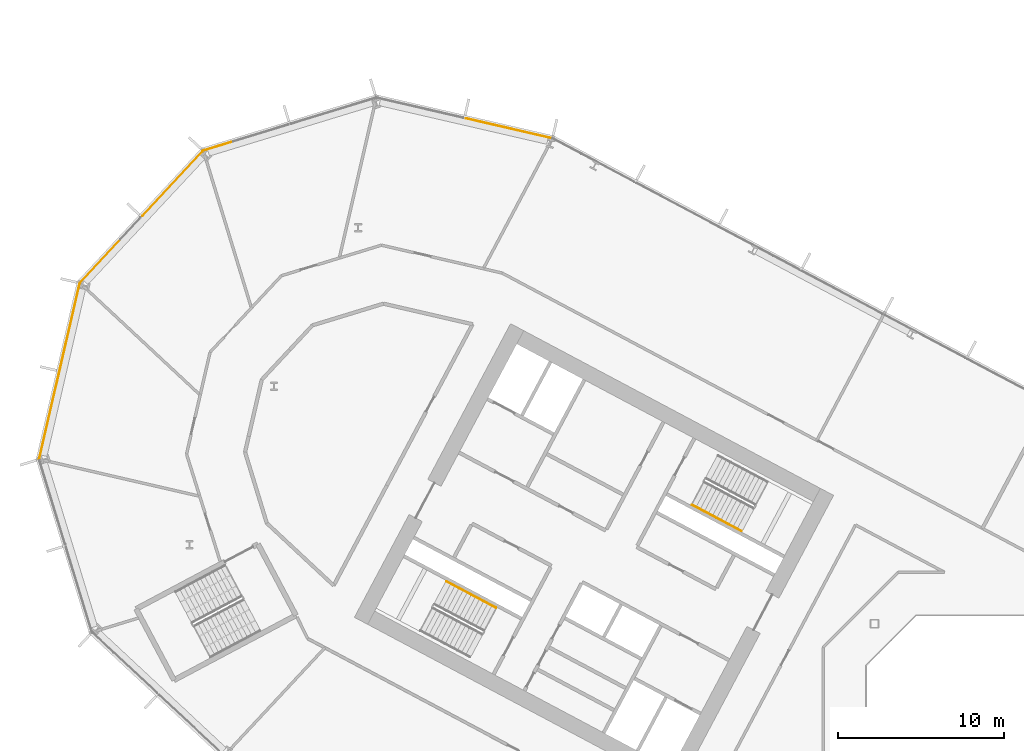
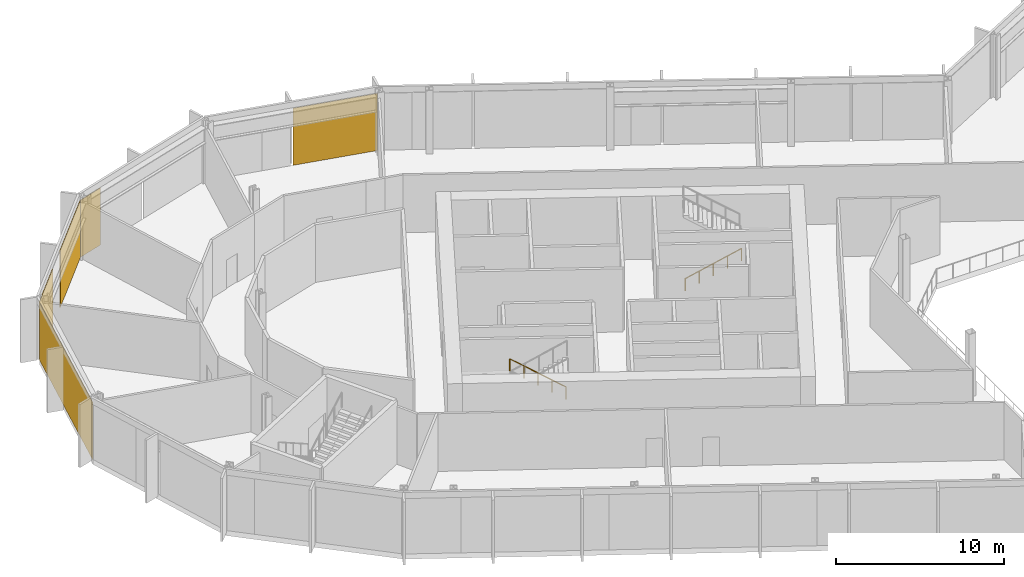
# One storey, part 23 of 30: 5 coverings, 2 railings, 4 elements without a shape of their own.
"""IFC4 building model written with IfcOpenShell, lengths in metres."""

from ifc_helpers import new_model, si_unit, direction, frame, origin, origin_2d, place, context, subcontext, project, spatial, polyline, rectangle, outline, extrude, material, layer, layer_set, type_object, element, aggregate, save


model = new_model("IFC4")

# Units and contexts
model_context = context("Model", 3, precision=1e-05, world=origin(), true_north=direction((0.0, 1.0)))
body_context = subcontext(model_context, "Body", "Model", "MODEL_VIEW")
ifc_project = project(units=[si_unit("LENGTHUNIT", "METRE"), si_unit("AREAUNIT", "SQUARE_METRE"), si_unit("VOLUMEUNIT", "CUBIC_METRE"), si_unit("PLANEANGLEUNIT", "RADIAN"), si_unit("MASSUNIT", "GRAM", prefix="KILO")], contexts=[model_context])

# Site, building, storey
site_placement = place(None, origin())
site = spatial("IfcSite", under=ifc_project, at=site_placement, CompositionType="ELEMENT")
building_placement = place(site_placement, origin())
building = spatial("IfcBuilding", under=site, at=building_placement, Name="Cormorant Relay Tower", CompositionType="ELEMENT")
storey_placement = place(building_placement, frame((0.0, 0.0, 89.199951171875)))
storey = spatial("IfcBuildingStorey", under=building, at=storey_placement, Name="L17", CompositionType="ELEMENT", Elevation=89.199951171875)

# Curtain wall, covering
ifc_material_1 = material(Name="Aluminium 6063-T6 anodised bronze", Category="aluminium")
ifc_layer_1 = layer(ifc_material_1, 0.199951171875)
ifc_layer_set_1 = layer_set([ifc_layer_1], Name="CW1 unitised bronze curtain wall with vertical fins")
curtain_wall_type = type_object("IfcCurtainWallType", Name="CW1 unitised bronze curtain wall with vertical fins", PredefinedType="NOTDEFINED", material=ifc_layer_set_1)
curtain_wall_1_placement = place(storey_placement, origin())
curtain_wall_1 = element("IfcCurtainWall", 1, at=curtain_wall_1_placement, inside=storey, type_object=curtain_wall_type, Name="CW1 curtain wall 8", PredefinedType="NOTDEFINED")
ifc_material_2 = material(Name="Pale bronze anodised aluminium insulated panel", Category="aluminium")
ifc_layer_2 = layer(ifc_material_2, 0.0400390625)
ifc_layer_set_2 = layer_set([ifc_layer_2], Name="CW1 pale bronze insulated panel 40")
covering_type = type_object("IfcCoveringType", Name="CW1 pale bronze insulated panel 40", PredefinedType="CLADDING", material=ifc_layer_set_2)
covering_1_placement = place(storey_placement, frame((-32.51708984375, 40.298828125, 0.0), z_axis=(0.0, 0.0, 1.0), x_axis=(-0.974370064785, 0.224951054344, 0.0)))
covering_1 = element("IfcCovering", 2, at=covering_1_placement, type_object=covering_type, Name="CW1 panel S00", PredefinedType="CLADDING", context=body_context, shape_type="SweptSolid", body=[
    extrude(rectangle(XDim=5.28515625, YDim=0.0400390625, at=origin_2d()), origin(), (0.0, 0.0, 1.0), 4.14990234375),
])
aggregate(curtain_wall_1, [covering_1])

curtain_wall_2_placement = place(storey_placement, origin())
curtain_wall_2 = element("IfcCurtainWall", 3, at=curtain_wall_2_placement, inside=storey, type_object=curtain_wall_type, Name="CW1 curtain wall 9", PredefinedType="NOTDEFINED")
covering_2_placement = place(storey_placement, frame((-50.025146484375, 39.211669921875, 0.0), z_axis=(0.0, 0.0, 1.0), x_axis=(-0.956304755963, -0.292371704723, 0.0)))
covering_2 = element("IfcCovering", 4, at=covering_2_placement, type_object=covering_type, Name="CW1 panel S02", PredefinedType="CLADDING", context=body_context, shape_type="SweptSolid", body=[
    extrude(rectangle(XDim=1.76025390625, YDim=0.0400390625, at=origin_2d()), origin(), (0.0, 0.0, 1.0), 4.14990234375),
])
aggregate(curtain_wall_2, [covering_2])

# Curtain wall, coverings
curtain_wall_3_placement = place(storey_placement, origin())
curtain_wall_3 = element("IfcCurtainWall", 5, at=curtain_wall_3_placement, inside=storey, type_object=curtain_wall_type, Name="CW1 curtain wall 10", PredefinedType="NOTDEFINED")
covering_3_placement = place(storey_placement, frame((-52.72900390625, 36.961181640625, 0.0), z_axis=(0.0, 0.0, 1.0), x_axis=(-0.681998360062, -0.731353701619, 0.0)))
covering_3 = element("IfcCovering", 6, at=covering_3_placement, type_object=covering_type, Name="CW1 panel S00", PredefinedType="CLADDING", context=body_context, shape_type="SweptSolid", body=[
    extrude(rectangle(XDim=5.28515625, YDim=0.0400390625, at=origin_2d()), origin(), (0.0, 0.0, 1.0), 4.14990234375),
])
covering_4_placement = place(storey_placement, frame((-57.0751953125, 32.300537109375, 0.0), z_axis=(0.0, 0.0, 1.0), x_axis=(-0.681998360062, -0.731353701619, 0.0)))
covering_4 = element("IfcCovering", 7, at=covering_4_placement, type_object=covering_type, Name="CW1 panel S02", PredefinedType="CLADDING", context=body_context, shape_type="SweptSolid", body=[
    extrude(rectangle(XDim=3.560302734375, YDim=0.0400390625, at=origin_2d()), origin(), (0.0, 0.0, 1.0), 4.14990234375),
])
aggregate(curtain_wall_3, [covering_3, covering_4])

# Curtain wall, covering
curtain_wall_4_placement = place(storey_placement, origin())
curtain_wall_4 = element("IfcCurtainWall", 8, at=curtain_wall_4_placement, inside=storey, type_object=curtain_wall_type, Name="CW1 curtain wall 11", PredefinedType="NOTDEFINED")
covering_5_placement = place(storey_placement, frame((-59.525146484375, 25.6572265625, 0.0), z_axis=(0.0, 0.0, 1.0), x_axis=(-0.224951054344, -0.974370064785, 0.0)))
covering_5 = element("IfcCovering", 9, at=covering_5_placement, type_object=covering_type, Name="CW1 panel S00", PredefinedType="CLADDING", context=body_context, shape_type="SweptSolid", body=[
    extrude(rectangle(XDim=10.79541015625, YDim=0.0400390625, at=origin_2d()), origin(), (0.0, 0.0, 1.0), 4.14990234375),
])
aggregate(curtain_wall_4, [covering_5])

# Railings
ifc_material_3 = material(Name="Steel ASTM A572 Grade 50 (Fy 345 MPa)", Category="steel")
railing_type = type_object("IfcRailingType", Name="Stair handrail 900", PredefinedType="HANDRAIL", material=ifc_material_3)
railing_1_placement = place(storey_placement, frame((-21.478271484375, 17.6494140625, 0.177001953125)))
element("IfcRailing", 10, at=railing_1_placement, inside=storey, type_object=railing_type, Name="L17 A1 stair handrail 1", PredefinedType="HANDRAIL", context=body_context, shape_type="SweptSolid", body=[
    extrude(outline(polyline([(0.022216796875, 0.00927734375), (0.00927734375, 0.022216796875), (-0.00927734375, 0.022216796875), (-0.022216796875, 0.00927734375), (-0.022216796875, -0.00927734375), (-0.00927734375, -0.022216796875), (0.00927734375, -0.022216796875), (0.022216796875, -0.00927734375), (0.022216796875, 0.00927734375)])), frame((0.0, 0.0, 0.8759765625), z_axis=(0.746422470992, -0.396920836698, 0.534141689248), x_axis=(0.469509342547, 0.882927503967, 0.0)), (0.0, 0.0, 1.0), 3.974609375),
    extrude(outline(polyline([(0.019287109375, 0.008056640625), (0.008056640625, 0.019287109375), (-0.008056640625, 0.019287109375), (-0.019287109375, 0.008056640625), (-0.019287109375, -0.008056640625), (-0.008056640625, -0.019287109375), (0.008056640625, -0.019287109375), (0.019287109375, -0.008056640625), (0.019287109375, 0.008056640625)])), origin(), (0.0, 0.0, 1.0), 0.851806640625),
    extrude(outline(polyline([(0.019287109375, 0.008056640625), (0.008056640625, 0.019287109375), (-0.008056640625, 0.019287109375), (-0.019287109375, 0.008056640625), (-0.019287109375, -0.008056640625), (-0.008056640625, -0.019287109375), (0.008056640625, -0.019287109375), (0.019287109375, -0.008056640625), (0.019287109375, 0.008056640625)])), frame((0.74169921875, -0.39453125, 0.53076171875)), (0.0, 0.0, 1.0), 0.851806640625),
    extrude(outline(polyline([(0.019287109375, 0.008056640625), (0.008056640625, 0.019287109375), (-0.008056640625, 0.019287109375), (-0.019287109375, 0.008056640625), (-0.019287109375, -0.008056640625), (-0.008056640625, -0.019287109375), (0.008056640625, -0.019287109375), (0.019287109375, -0.008056640625), (0.019287109375, 0.008056640625)])), frame((1.4833984375, -0.788818359375, 1.0615234375)), (0.0, 0.0, 1.0), 0.851806640625),
    extrude(outline(polyline([(0.019287109375, 0.008056640625), (0.008056640625, 0.019287109375), (-0.008056640625, 0.019287109375), (-0.019287109375, 0.008056640625), (-0.019287109375, -0.008056640625), (-0.008056640625, -0.019287109375), (0.008056640625, -0.019287109375), (0.019287109375, -0.008056640625), (0.019287109375, 0.008056640625)])), frame((2.22509765625, -1.18310546875, 1.59228515625)), (0.0, 0.0, 1.0), 0.851806640625),
    extrude(outline(polyline([(0.019287109375, 0.008056640625), (0.008056640625, 0.019287109375), (-0.008056640625, 0.019287109375), (-0.019287109375, 0.008056640625), (-0.019287109375, -0.008056640625), (-0.008056640625, -0.019287109375), (0.008056640625, -0.019287109375), (0.019287109375, -0.008056640625), (0.019287109375, 0.008056640625)])), frame((2.966796875, -1.57763671875, 2.123046875)), (0.0, 0.0, 1.0), 0.851806640625),
])
railing_2_placement = place(storey_placement, frame((-33.264404296875, 11.4580078125, 0.177001953125)))
element("IfcRailing", 11, at=railing_2_placement, inside=storey, type_object=railing_type, Name="L17 A2 stair handrail 1", PredefinedType="HANDRAIL", context=body_context, shape_type="SweptSolid", body=[
    extrude(outline(polyline([(0.022216796875, 0.00927734375), (0.00927734375, 0.022216796875), (-0.00927734375, 0.022216796875), (-0.022216796875, 0.00927734375), (-0.022216796875, -0.00927734375), (-0.00927734375, -0.022216796875), (0.00927734375, -0.022216796875), (0.022216796875, -0.00927734375), (0.022216796875, 0.00927734375)])), frame((0.0, 0.0, 0.8759765625), z_axis=(-0.746440668329, 0.396869088057, 0.534154711306), x_axis=(-0.46945269911, -0.882957622595, 0.0)), (0.0, 0.0, 1.0), 3.974609375),
    extrude(outline(polyline([(0.019287109375, 0.008056640625), (0.008056640625, 0.019287109375), (-0.008056640625, 0.019287109375), (-0.019287109375, 0.008056640625), (-0.019287109375, -0.008056640625), (-0.008056640625, -0.019287109375), (0.008056640625, -0.019287109375), (0.019287109375, -0.008056640625), (0.019287109375, 0.008056640625)])), origin(), (0.0, 0.0, 1.0), 0.851806640625),
    extrude(outline(polyline([(0.019287109375, 0.008056640625), (0.008056640625, 0.019287109375), (-0.008056640625, 0.019287109375), (-0.019287109375, 0.008056640625), (-0.019287109375, -0.008056640625), (-0.008056640625, -0.019287109375), (0.008056640625, -0.019287109375), (0.019287109375, -0.008056640625), (0.019287109375, 0.008056640625)])), frame((-0.74169921875, 0.394287109375, 0.53076171875)), (0.0, 0.0, 1.0), 0.851806640625),
    extrude(outline(polyline([(0.019287109375, 0.008056640625), (0.008056640625, 0.019287109375), (-0.008056640625, 0.019287109375), (-0.019287109375, 0.008056640625), (-0.019287109375, -0.008056640625), (-0.008056640625, -0.019287109375), (0.008056640625, -0.019287109375), (0.019287109375, -0.008056640625), (0.019287109375, 0.008056640625)])), frame((-1.4833984375, 0.78857421875, 1.0615234375)), (0.0, 0.0, 1.0), 0.851806640625),
    extrude(outline(polyline([(0.019287109375, 0.008056640625), (0.008056640625, 0.019287109375), (-0.008056640625, 0.019287109375), (-0.019287109375, 0.008056640625), (-0.019287109375, -0.008056640625), (-0.008056640625, -0.019287109375), (0.008056640625, -0.019287109375), (0.019287109375, -0.008056640625), (0.019287109375, 0.008056640625)])), frame((-2.22509765625, 1.18310546875, 1.59228515625)), (0.0, 0.0, 1.0), 0.851806640625),
    extrude(outline(polyline([(0.019287109375, 0.008056640625), (0.008056640625, 0.019287109375), (-0.008056640625, 0.019287109375), (-0.019287109375, 0.008056640625), (-0.019287109375, -0.008056640625), (-0.008056640625, -0.019287109375), (0.008056640625, -0.019287109375), (0.019287109375, -0.008056640625), (0.019287109375, 0.008056640625)])), frame((-2.966796875, 1.577392578125, 2.123046875)), (0.0, 0.0, 1.0), 0.851806640625),
])

save(model, "model.ifc")
